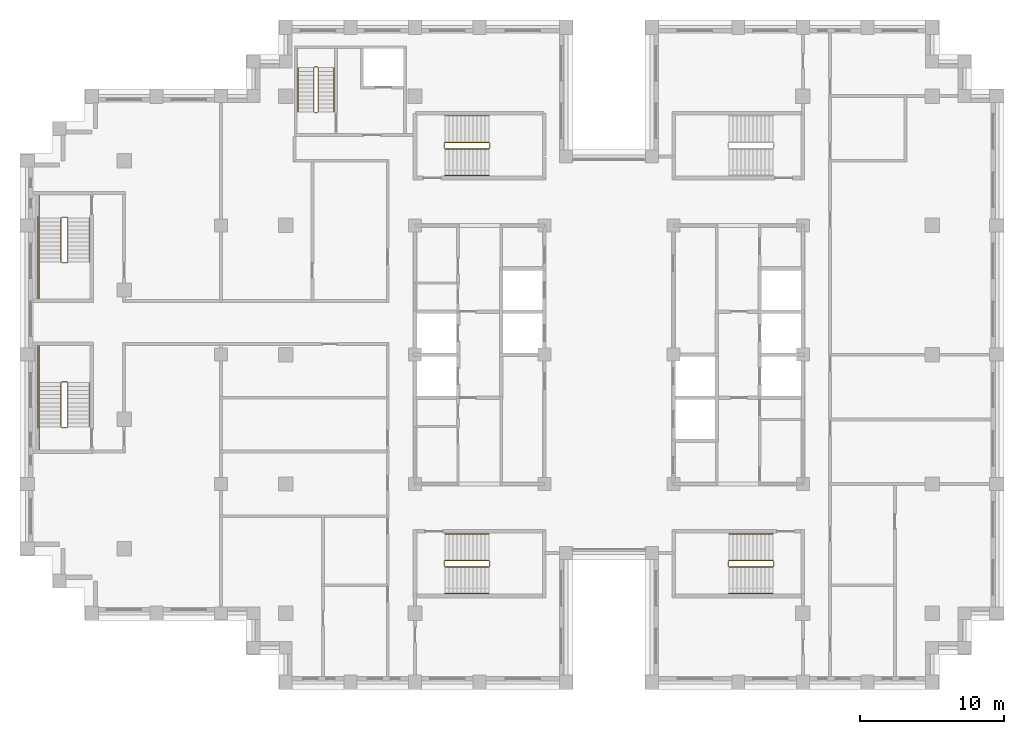
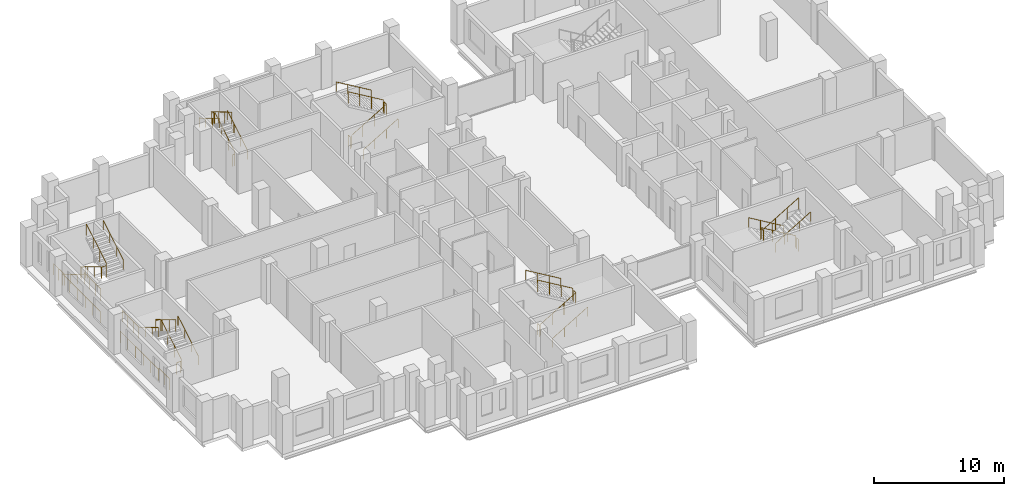
# One storey, part 14 of 15: 6 railings.
"""IFC4 building model written with IfcOpenShell, lengths in metres."""

from ifc_helpers import new_model, si_unit, direction, frame, origin, origin_2d, place, context, subcontext, project, spatial, circle, extrude, material, type_object, element, save


model = new_model("IFC4")

# Units and contexts
model_context = context("Model", 3, precision=1e-05, world=origin(), true_north=direction((0.0, 1.0)))
body_context = subcontext(model_context, "Body", "Model", "MODEL_VIEW")
ifc_project = project(units=[si_unit("LENGTHUNIT", "METRE"), si_unit("AREAUNIT", "SQUARE_METRE"), si_unit("VOLUMEUNIT", "CUBIC_METRE"), si_unit("PLANEANGLEUNIT", "RADIAN"), si_unit("MASSUNIT", "GRAM", prefix="KILO")], contexts=[model_context])

# Site, building, storey
site_placement = place(None, origin())
site = spatial("IfcSite", under=ifc_project, at=site_placement, CompositionType="ELEMENT")
building_placement = place(site_placement, origin())
building = spatial("IfcBuilding", under=site, at=building_placement, Name="Corbelhall Arena Tower", CompositionType="ELEMENT")
storey_placement = place(building_placement, frame((0.0, 0.0, 216.0)))
storey = spatial("IfcBuildingStorey", under=building, at=storey_placement, Name="L45", CompositionType="ELEMENT", Elevation=216.0)

# Railings
ifc_material = material(Name="Steel ASTM A500 Gr C", Category="steel")
railing_type = type_object("IfcRailingType", Name="IN-GD-1100", PredefinedType="GUARDRAIL", material=ifc_material)
railing_1_placement = place(storey_placement, frame((-11.425048828125, 14.324951171875, 0.166748046875)))
element("IfcRailing", 1, at=railing_1_placement, inside=storey, type_object=railing_type, Name="L45 ST1 stair guards and handrails", PredefinedType="GUARDRAIL", context=body_context, shape_type="SweptSolid", body=[
    extrude(circle(Radius=0.02392578125, at=origin_2d()), frame((0.0, 0.0, 1.076171875), z_axis=(0.859308565015, 0.0, 0.511457515432), x_axis=(0.0, 1.0, 0.0)), (0.0, 0.0, 1.0), 3.58447265625),
    extrude(circle(Radius=0.02392578125, at=origin_2d()), frame((3.130126953125, 0.050048828125, 2.9091796875), z_axis=(0.0, 1.0, 0.0), x_axis=(-1.0, 0.0, 0.0)), (0.0, 0.0, 1.0), 0.35009765625),
    extrude(circle(Radius=0.02392578125, at=origin_2d()), frame((3.080078125, 0.449951171875, 3.076171875), z_axis=(-0.859308565015, 0.0, 0.511457515432), x_axis=(0.0, -1.0, 0.0)), (0.0, 0.0, 1.0), 3.58447265625),
    extrude(circle(Radius=0.02392578125, at=origin_2d()), frame((-0.050048828125, 0.050048828125, 0.9091796875), z_axis=(0.0, 1.0, 0.0), x_axis=(-1.0, 0.0, 0.0)), (0.0, 0.0, 1.0), 0.35009765625),
    extrude(circle(Radius=0.02392578125, at=origin_2d()), frame((0.0, -1.849853515625, 0.8759765625), z_axis=(0.859308565015, 0.0, 0.511457515432), x_axis=(0.0, 1.0, 0.0)), (0.0, 0.0, 1.0), 3.58447265625),
    extrude(circle(Radius=0.02392578125, at=origin_2d()), frame((3.080078125, 2.300048828125, 2.8759765625), z_axis=(-0.859308565015, 0.0, 0.511457515432), x_axis=(0.0, -1.0, 0.0)), (0.0, 0.0, 1.0), 3.58447265625),
    extrude(circle(Radius=0.02099609375, at=origin_2d()), origin(), (0.0, 0.0, 1.0), 1.052001953125),
    extrude(circle(Radius=0.02099609375, at=origin_2d()), frame((1.026611328125, 0.0, 0.611083984375)), (0.0, 0.0, 1.0), 1.052001953125),
    extrude(circle(Radius=0.02099609375, at=origin_2d()), frame((2.053466796875, 0.0, 1.22216796875)), (0.0, 0.0, 1.0), 1.052001953125),
    extrude(circle(Radius=0.02099609375, at=origin_2d()), frame((3.080078125, 0.0, 1.833251953125)), (0.0, 0.0, 1.0), 1.052001953125),
    extrude(circle(Radius=0.02099609375, at=origin_2d()), frame((3.130126953125, 0.050048828125, 1.833251953125)), (0.0, 0.0, 1.0), 1.052001953125),
    extrude(circle(Radius=0.02099609375, at=origin_2d()), frame((3.130126953125, 0.400146484375, 1.833251953125)), (0.0, 0.0, 1.0), 1.052001953125),
    extrude(circle(Radius=0.02099609375, at=origin_2d()), frame((3.080078125, 0.449951171875, 2.0)), (0.0, 0.0, 1.0), 1.052001953125),
    extrude(circle(Radius=0.02099609375, at=origin_2d()), frame((2.053466796875, 0.449951171875, 2.611083984375)), (0.0, 0.0, 1.0), 1.052001953125),
    extrude(circle(Radius=0.02099609375, at=origin_2d()), frame((1.026611328125, 0.449951171875, 3.22216796875)), (0.0, 0.0, 1.0), 1.052001953125),
    extrude(circle(Radius=0.02099609375, at=origin_2d()), frame((0.0, 0.449951171875, 3.833251953125)), (0.0, 0.0, 1.0), 1.052001953125),
    extrude(circle(Radius=0.02099609375, at=origin_2d()), frame((-0.050048828125, 0.050048828125, -0.166748046875)), (0.0, 0.0, 1.0), 1.052001953125),
    extrude(circle(Radius=0.02099609375, at=origin_2d()), frame((-0.050048828125, 0.400146484375, -0.166748046875)), (0.0, 0.0, 1.0), 1.052001953125),
    extrude(circle(Radius=0.02099609375, at=origin_2d()), frame((0.0, -1.849853515625, 0.0)), (0.0, 0.0, 1.0), 0.851806640625),
    extrude(circle(Radius=0.02099609375, at=origin_2d()), frame((1.026611328125, -1.849853515625, 0.611083984375)), (0.0, 0.0, 1.0), 0.851806640625),
    extrude(circle(Radius=0.02099609375, at=origin_2d()), frame((2.053466796875, -1.849853515625, 1.22216796875)), (0.0, 0.0, 1.0), 0.851806640625),
    extrude(circle(Radius=0.02099609375, at=origin_2d()), frame((3.080078125, -1.849853515625, 1.833251953125)), (0.0, 0.0, 1.0), 0.851806640625),
    extrude(circle(Radius=0.02099609375, at=origin_2d()), frame((3.080078125, 2.300048828125, 2.0)), (0.0, 0.0, 1.0), 0.851806640625),
    extrude(circle(Radius=0.02099609375, at=origin_2d()), frame((2.053466796875, 2.300048828125, 2.611083984375)), (0.0, 0.0, 1.0), 0.851806640625),
    extrude(circle(Radius=0.02099609375, at=origin_2d()), frame((1.026611328125, 2.300048828125, 3.22216796875)), (0.0, 0.0, 1.0), 0.851806640625),
    extrude(circle(Radius=0.02099609375, at=origin_2d()), frame((0.0, 2.300048828125, 3.833251953125)), (0.0, 0.0, 1.0), 0.851806640625),
])
railing_2_placement = place(storey_placement, frame((-11.425048828125, -14.77490234375, 0.166748046875)))
element("IfcRailing", 2, at=railing_2_placement, inside=storey, type_object=railing_type, Name="L45 ST2 stair guards and handrails", PredefinedType="GUARDRAIL", context=body_context, shape_type="SweptSolid", body=[
    extrude(circle(Radius=0.02392578125, at=origin_2d()), frame((0.0, 0.0, 1.076171875), z_axis=(0.859308565015, 0.0, 0.511457515432), x_axis=(0.0, 1.0, 0.0)), (0.0, 0.0, 1.0), 3.58447265625),
    extrude(circle(Radius=0.02392578125, at=origin_2d()), frame((3.130126953125, 0.0498046875, 2.9091796875), z_axis=(0.0, 1.0, 0.0), x_axis=(-1.0, 0.0, 0.0)), (0.0, 0.0, 1.0), 0.35009765625),
    extrude(circle(Radius=0.02392578125, at=origin_2d()), frame((3.080078125, 0.449951171875, 3.076171875), z_axis=(-0.859308565015, 0.0, 0.511457515432), x_axis=(0.0, -1.0, 0.0)), (0.0, 0.0, 1.0), 3.58447265625),
    extrude(circle(Radius=0.02392578125, at=origin_2d()), frame((-0.050048828125, 0.0498046875, 0.9091796875), z_axis=(0.0, 1.0, 0.0), x_axis=(-1.0, 0.0, 0.0)), (0.0, 0.0, 1.0), 0.35009765625),
    extrude(circle(Radius=0.02392578125, at=origin_2d()), frame((0.0, -1.85009765625, 0.8759765625), z_axis=(0.859308565015, 0.0, 0.511457515432), x_axis=(0.0, 1.0, 0.0)), (0.0, 0.0, 1.0), 3.58447265625),
    extrude(circle(Radius=0.02392578125, at=origin_2d()), frame((3.080078125, 2.2998046875, 2.8759765625), z_axis=(-0.859308565015, 0.0, 0.511457515432), x_axis=(0.0, -1.0, 0.0)), (0.0, 0.0, 1.0), 3.58447265625),
    extrude(circle(Radius=0.02099609375, at=origin_2d()), origin(), (0.0, 0.0, 1.0), 1.052001953125),
    extrude(circle(Radius=0.02099609375, at=origin_2d()), frame((1.026611328125, 0.0, 0.611083984375)), (0.0, 0.0, 1.0), 1.052001953125),
    extrude(circle(Radius=0.02099609375, at=origin_2d()), frame((2.053466796875, 0.0, 1.22216796875)), (0.0, 0.0, 1.0), 1.052001953125),
    extrude(circle(Radius=0.02099609375, at=origin_2d()), frame((3.080078125, 0.0, 1.833251953125)), (0.0, 0.0, 1.0), 1.052001953125),
    extrude(circle(Radius=0.02099609375, at=origin_2d()), frame((3.130126953125, 0.0498046875, 1.833251953125)), (0.0, 0.0, 1.0), 1.052001953125),
    extrude(circle(Radius=0.02099609375, at=origin_2d()), frame((3.130126953125, 0.39990234375, 1.833251953125)), (0.0, 0.0, 1.0), 1.052001953125),
    extrude(circle(Radius=0.02099609375, at=origin_2d()), frame((3.080078125, 0.449951171875, 2.0)), (0.0, 0.0, 1.0), 1.052001953125),
    extrude(circle(Radius=0.02099609375, at=origin_2d()), frame((2.053466796875, 0.449951171875, 2.611083984375)), (0.0, 0.0, 1.0), 1.052001953125),
    extrude(circle(Radius=0.02099609375, at=origin_2d()), frame((1.026611328125, 0.449951171875, 3.22216796875)), (0.0, 0.0, 1.0), 1.052001953125),
    extrude(circle(Radius=0.02099609375, at=origin_2d()), frame((0.0, 0.449951171875, 3.833251953125)), (0.0, 0.0, 1.0), 1.052001953125),
    extrude(circle(Radius=0.02099609375, at=origin_2d()), frame((-0.050048828125, 0.0498046875, -0.166748046875)), (0.0, 0.0, 1.0), 1.052001953125),
    extrude(circle(Radius=0.02099609375, at=origin_2d()), frame((-0.050048828125, 0.39990234375, -0.166748046875)), (0.0, 0.0, 1.0), 1.052001953125),
    extrude(circle(Radius=0.02099609375, at=origin_2d()), frame((0.0, -1.85009765625, 0.0)), (0.0, 0.0, 1.0), 0.851806640625),
    extrude(circle(Radius=0.02099609375, at=origin_2d()), frame((1.026611328125, -1.85009765625, 0.611083984375)), (0.0, 0.0, 1.0), 0.851806640625),
    extrude(circle(Radius=0.02099609375, at=origin_2d()), frame((2.053466796875, -1.85009765625, 1.22216796875)), (0.0, 0.0, 1.0), 0.851806640625),
    extrude(circle(Radius=0.02099609375, at=origin_2d()), frame((3.080078125, -1.85009765625, 1.833251953125)), (0.0, 0.0, 1.0), 0.851806640625),
    extrude(circle(Radius=0.02099609375, at=origin_2d()), frame((3.080078125, 2.2998046875, 2.0)), (0.0, 0.0, 1.0), 0.851806640625),
    extrude(circle(Radius=0.02099609375, at=origin_2d()), frame((2.053466796875, 2.2998046875, 2.611083984375)), (0.0, 0.0, 1.0), 0.851806640625),
    extrude(circle(Radius=0.02099609375, at=origin_2d()), frame((1.026611328125, 2.2998046875, 3.22216796875)), (0.0, 0.0, 1.0), 0.851806640625),
    extrude(circle(Radius=0.02099609375, at=origin_2d()), frame((0.0, 2.2998046875, 3.833251953125)), (0.0, 0.0, 1.0), 0.851806640625),
])
railing_3_placement = place(storey_placement, frame((11.425048828125, -14.324951171875, 0.166748046875)))
element("IfcRailing", 3, at=railing_3_placement, inside=storey, type_object=railing_type, Name="L45 ST4 stair guards and handrails", PredefinedType="GUARDRAIL", context=body_context, shape_type="SweptSolid", body=[
    extrude(circle(Radius=0.02392578125, at=origin_2d()), frame((0.0, 0.0, 1.076171875), z_axis=(-0.859308565015, 0.0, 0.511457515432), x_axis=(0.0, -1.0, 0.0)), (0.0, 0.0, 1.0), 3.58447265625),
    extrude(circle(Radius=0.02392578125, at=origin_2d()), frame((-3.130126953125, -0.050048828125, 2.9091796875), z_axis=(0.0, -1.0, 0.0), x_axis=(1.0, 0.0, 0.0)), (0.0, 0.0, 1.0), 0.35009765625),
    extrude(circle(Radius=0.02392578125, at=origin_2d()), frame((-3.080078125, -0.449951171875, 3.076171875), z_axis=(0.859308565015, 0.0, 0.511457515432), x_axis=(0.0, 1.0, 0.0)), (0.0, 0.0, 1.0), 3.58447265625),
    extrude(circle(Radius=0.02392578125, at=origin_2d()), frame((0.050048828125, -0.050048828125, 0.9091796875), z_axis=(0.0, -1.0, 0.0), x_axis=(1.0, 0.0, 0.0)), (0.0, 0.0, 1.0), 0.35009765625),
    extrude(circle(Radius=0.02392578125, at=origin_2d()), frame((0.0, 1.849853515625, 0.8759765625), z_axis=(-0.859308565015, 0.0, 0.511457515432), x_axis=(0.0, -1.0, 0.0)), (0.0, 0.0, 1.0), 3.58447265625),
    extrude(circle(Radius=0.02392578125, at=origin_2d()), frame((-3.080078125, -2.300048828125, 2.8759765625), z_axis=(0.859308565015, 0.0, 0.511457515432), x_axis=(0.0, 1.0, 0.0)), (0.0, 0.0, 1.0), 3.58447265625),
    extrude(circle(Radius=0.02099609375, at=origin_2d()), origin(), (0.0, 0.0, 1.0), 1.052001953125),
    extrude(circle(Radius=0.02099609375, at=origin_2d()), frame((-1.026611328125, 0.0, 0.611083984375)), (0.0, 0.0, 1.0), 1.052001953125),
    extrude(circle(Radius=0.02099609375, at=origin_2d()), frame((-2.053466796875, 0.0, 1.22216796875)), (0.0, 0.0, 1.0), 1.052001953125),
    extrude(circle(Radius=0.02099609375, at=origin_2d()), frame((-3.080078125, 0.0, 1.833251953125)), (0.0, 0.0, 1.0), 1.052001953125),
    extrude(circle(Radius=0.02099609375, at=origin_2d()), frame((-3.130126953125, -0.050048828125, 1.833251953125)), (0.0, 0.0, 1.0), 1.052001953125),
    extrude(circle(Radius=0.02099609375, at=origin_2d()), frame((-3.130126953125, -0.400146484375, 1.833251953125)), (0.0, 0.0, 1.0), 1.052001953125),
    extrude(circle(Radius=0.02099609375, at=origin_2d()), frame((-3.080078125, -0.449951171875, 2.0)), (0.0, 0.0, 1.0), 1.052001953125),
    extrude(circle(Radius=0.02099609375, at=origin_2d()), frame((-2.053466796875, -0.449951171875, 2.611083984375)), (0.0, 0.0, 1.0), 1.052001953125),
    extrude(circle(Radius=0.02099609375, at=origin_2d()), frame((-1.026611328125, -0.449951171875, 3.22216796875)), (0.0, 0.0, 1.0), 1.052001953125),
    extrude(circle(Radius=0.02099609375, at=origin_2d()), frame((0.0, -0.449951171875, 3.833251953125)), (0.0, 0.0, 1.0), 1.052001953125),
    extrude(circle(Radius=0.02099609375, at=origin_2d()), frame((0.050048828125, -0.050048828125, -0.166748046875)), (0.0, 0.0, 1.0), 1.052001953125),
    extrude(circle(Radius=0.02099609375, at=origin_2d()), frame((0.050048828125, -0.400146484375, -0.166748046875)), (0.0, 0.0, 1.0), 1.052001953125),
    extrude(circle(Radius=0.02099609375, at=origin_2d()), frame((0.0, 1.849853515625, 0.0)), (0.0, 0.0, 1.0), 0.851806640625),
    extrude(circle(Radius=0.02099609375, at=origin_2d()), frame((-1.026611328125, 1.849853515625, 0.611083984375)), (0.0, 0.0, 1.0), 0.851806640625),
    extrude(circle(Radius=0.02099609375, at=origin_2d()), frame((-2.053466796875, 1.849853515625, 1.22216796875)), (0.0, 0.0, 1.0), 0.851806640625),
    extrude(circle(Radius=0.02099609375, at=origin_2d()), frame((-3.080078125, 1.849853515625, 1.833251953125)), (0.0, 0.0, 1.0), 0.851806640625),
    extrude(circle(Radius=0.02099609375, at=origin_2d()), frame((-3.080078125, -2.300048828125, 2.0)), (0.0, 0.0, 1.0), 0.851806640625),
    extrude(circle(Radius=0.02099609375, at=origin_2d()), frame((-2.053466796875, -2.300048828125, 2.611083984375)), (0.0, 0.0, 1.0), 0.851806640625),
    extrude(circle(Radius=0.02099609375, at=origin_2d()), frame((-1.026611328125, -2.300048828125, 3.22216796875)), (0.0, 0.0, 1.0), 0.851806640625),
    extrude(circle(Radius=0.02099609375, at=origin_2d()), frame((0.0, -2.300048828125, 3.833251953125)), (0.0, 0.0, 1.0), 0.851806640625),
])
railing_4_placement = place(storey_placement, frame((-38.14990234375, 9.52490234375, 0.166748046875)))
element("IfcRailing", 4, at=railing_4_placement, inside=storey, type_object=railing_type, Name="L45 SC1 stair guards and handrails", PredefinedType="GUARDRAIL", context=body_context, shape_type="SweptSolid", body=[
    extrude(circle(Radius=0.02392578125, at=origin_2d()), frame((0.0, 0.0, 1.076171875), z_axis=(0.0, -0.859290745958, 0.51148745235), x_axis=(1.0, 0.0, 0.0)), (0.0, 0.0, 1.0), 3.584228515625),
    extrude(circle(Radius=0.02392578125, at=origin_2d()), frame((0.0498046875, -3.1298828125, 2.9091796875), z_axis=(1.0, 0.0, 0.0), x_axis=(0.0, 1.0, 0.0)), (0.0, 0.0, 1.0), 0.375),
    extrude(circle(Radius=0.02392578125, at=origin_2d()), frame((-1.5, -3.079833984375, 2.9091796875), z_axis=(0.0, -1.0, 0.0), x_axis=(1.0, 0.0, 0.0)), (0.0, 0.0, 1.0), 2.570068359375),
    extrude(circle(Radius=0.02392578125, at=origin_2d()), frame((0.474853515625, -3.079833984375, 3.076171875), z_axis=(0.0, 0.859290745958, 0.51148745235), x_axis=(-1.0, 0.0, 0.0)), (0.0, 0.0, 1.0), 3.584228515625),
    extrude(circle(Radius=0.02392578125, at=origin_2d()), frame((0.0498046875, 0.050048828125, 0.9091796875), z_axis=(1.0, 0.0, 0.0), x_axis=(0.0, 1.0, 0.0)), (0.0, 0.0, 1.0), 0.375),
    extrude(circle(Radius=0.02392578125, at=origin_2d()), frame((-1.5, 1.60009765625, 0.9091796875), z_axis=(0.0, -1.0, 0.0), x_axis=(1.0, 0.0, 0.0)), (0.0, 0.0, 1.0), 1.60009765625),
    extrude(circle(Radius=0.02392578125, at=origin_2d()), frame((-1.60009765625, 0.10009765625, 0.9091796875), z_axis=(0.0, -1.0, 0.0), x_axis=(1.0, 0.0, 0.0)), (0.0, 0.0, 1.0), 5.85009765625),
    extrude(circle(Radius=0.02392578125, at=origin_2d()), frame((-1.5, 0.0, 0.8759765625), z_axis=(0.0, -0.859290745958, 0.51148745235), x_axis=(1.0, 0.0, 0.0)), (0.0, 0.0, 1.0), 3.584228515625),
    extrude(circle(Radius=0.02392578125, at=origin_2d()), frame((1.974853515625, -3.079833984375, 2.8759765625), z_axis=(0.0, 0.859290745958, 0.51148745235), x_axis=(-1.0, 0.0, 0.0)), (0.0, 0.0, 1.0), 3.584228515625),
    extrude(circle(Radius=0.02099609375, at=origin_2d()), origin(), (0.0, 0.0, 1.0), 1.052001953125),
    extrude(circle(Radius=0.02099609375, at=origin_2d()), frame((0.0, -1.026611328125, 0.611083984375)), (0.0, 0.0, 1.0), 1.052001953125),
    extrude(circle(Radius=0.02099609375, at=origin_2d()), frame((0.0, -2.05322265625, 1.22216796875)), (0.0, 0.0, 1.0), 1.052001953125),
    extrude(circle(Radius=0.02099609375, at=origin_2d()), frame((0.0, -3.079833984375, 1.833251953125)), (0.0, 0.0, 1.0), 1.052001953125),
    extrude(circle(Radius=0.02099609375, at=origin_2d()), frame((0.0498046875, -3.1298828125, 1.833251953125)), (0.0, 0.0, 1.0), 1.052001953125),
    extrude(circle(Radius=0.02099609375, at=origin_2d()), frame((0.4248046875, -3.1298828125, 1.833251953125)), (0.0, 0.0, 1.0), 1.052001953125),
    extrude(circle(Radius=0.02099609375, at=origin_2d()), frame((-1.5, -3.079833984375, 1.833251953125)), (0.0, 0.0, 1.0), 1.052001953125),
    extrude(circle(Radius=0.02099609375, at=origin_2d()), frame((-1.5, -3.9365234375, 1.833251953125)), (0.0, 0.0, 1.0), 1.052001953125),
    extrude(circle(Radius=0.02099609375, at=origin_2d()), frame((-1.5, -4.793212890625, 1.833251953125)), (0.0, 0.0, 1.0), 1.052001953125),
    extrude(circle(Radius=0.02099609375, at=origin_2d()), frame((-1.5, -5.64990234375, 1.833251953125)), (0.0, 0.0, 1.0), 1.052001953125),
    extrude(circle(Radius=0.02099609375, at=origin_2d()), frame((0.474853515625, -3.079833984375, 2.0)), (0.0, 0.0, 1.0), 1.052001953125),
    extrude(circle(Radius=0.02099609375, at=origin_2d()), frame((0.474853515625, -2.05322265625, 2.611083984375)), (0.0, 0.0, 1.0), 1.052001953125),
    extrude(circle(Radius=0.02099609375, at=origin_2d()), frame((0.474853515625, -1.026611328125, 3.22216796875)), (0.0, 0.0, 1.0), 1.052001953125),
    extrude(circle(Radius=0.02099609375, at=origin_2d()), frame((0.474853515625, 0.0, 3.833251953125)), (0.0, 0.0, 1.0), 1.052001953125),
    extrude(circle(Radius=0.02099609375, at=origin_2d()), frame((0.0498046875, 0.050048828125, -0.166748046875)), (0.0, 0.0, 1.0), 1.052001953125),
    extrude(circle(Radius=0.02099609375, at=origin_2d()), frame((0.4248046875, 0.050048828125, -0.166748046875)), (0.0, 0.0, 1.0), 1.052001953125),
    extrude(circle(Radius=0.02099609375, at=origin_2d()), frame((-1.5, 1.60009765625, -0.166748046875)), (0.0, 0.0, 1.0), 1.052001953125),
    extrude(circle(Radius=0.02099609375, at=origin_2d()), frame((-1.5, 0.800048828125, -0.166748046875)), (0.0, 0.0, 1.0), 1.052001953125),
    extrude(circle(Radius=0.02099609375, at=origin_2d()), frame((-1.5, 0.0, -0.166748046875)), (0.0, 0.0, 1.0), 1.052001953125),
    extrude(circle(Radius=0.02099609375, at=origin_2d()), frame((-1.60009765625, 0.10009765625, -0.166748046875)), (0.0, 0.0, 1.0), 1.052001953125),
    extrude(circle(Radius=0.02099609375, at=origin_2d()), frame((-1.60009765625, -1.06982421875, -0.166748046875)), (0.0, 0.0, 1.0), 1.052001953125),
    extrude(circle(Radius=0.02099609375, at=origin_2d()), frame((-1.60009765625, -2.239990234375, -0.166748046875)), (0.0, 0.0, 1.0), 1.052001953125),
    extrude(circle(Radius=0.02099609375, at=origin_2d()), frame((-1.60009765625, -3.409912109375, -0.166748046875)), (0.0, 0.0, 1.0), 1.052001953125),
    extrude(circle(Radius=0.02099609375, at=origin_2d()), frame((-1.60009765625, -4.580078125, -0.166748046875)), (0.0, 0.0, 1.0), 1.052001953125),
    extrude(circle(Radius=0.02099609375, at=origin_2d()), frame((-1.60009765625, -5.75, -0.166748046875)), (0.0, 0.0, 1.0), 1.052001953125),
    extrude(circle(Radius=0.02099609375, at=origin_2d()), frame((-1.5, 0.0, 0.0)), (0.0, 0.0, 1.0), 0.851806640625),
    extrude(circle(Radius=0.02099609375, at=origin_2d()), frame((-1.5, -1.026611328125, 0.611083984375)), (0.0, 0.0, 1.0), 0.851806640625),
    extrude(circle(Radius=0.02099609375, at=origin_2d()), frame((-1.5, -2.05322265625, 1.22216796875)), (0.0, 0.0, 1.0), 0.851806640625),
    extrude(circle(Radius=0.02099609375, at=origin_2d()), frame((1.974853515625, -3.079833984375, 2.0)), (0.0, 0.0, 1.0), 0.851806640625),
    extrude(circle(Radius=0.02099609375, at=origin_2d()), frame((1.974853515625, -2.05322265625, 2.611083984375)), (0.0, 0.0, 1.0), 0.851806640625),
    extrude(circle(Radius=0.02099609375, at=origin_2d()), frame((1.974853515625, -1.026611328125, 3.22216796875)), (0.0, 0.0, 1.0), 0.851806640625),
    extrude(circle(Radius=0.02099609375, at=origin_2d()), frame((1.974853515625, 0.0, 3.833251953125)), (0.0, 0.0, 1.0), 0.851806640625),
])
railing_5_placement = place(storey_placement, frame((-37.675048828125, -5.02490234375, 0.166748046875)))
element("IfcRailing", 5, at=railing_5_placement, inside=storey, type_object=railing_type, Name="L45 SC2 stair guards and handrails", PredefinedType="GUARDRAIL", context=body_context, shape_type="SweptSolid", body=[
    extrude(circle(Radius=0.02392578125, at=origin_2d()), frame((0.0, 0.0, 1.076171875), z_axis=(0.0, 0.859290745958, 0.51148745235), x_axis=(-1.0, 0.0, 0.0)), (0.0, 0.0, 1.0), 3.584228515625),
    extrude(circle(Radius=0.02392578125, at=origin_2d()), frame((-0.050048828125, 3.1298828125, 2.9091796875), z_axis=(-1.0, 0.0, 0.0), x_axis=(0.0, -1.0, 0.0)), (0.0, 0.0, 1.0), 0.375),
    extrude(circle(Radius=0.02392578125, at=origin_2d()), frame((-1.974853515625, 3.079833984375, 2.9091796875), z_axis=(0.0, 1.0, 0.0), x_axis=(-1.0, 0.0, 0.0)), (0.0, 0.0, 1.0), 2.570068359375),
    extrude(circle(Radius=0.02392578125, at=origin_2d()), frame((-0.474853515625, 3.079833984375, 3.076171875), z_axis=(0.0, -0.859290745958, 0.51148745235), x_axis=(1.0, 0.0, 0.0)), (0.0, 0.0, 1.0), 3.584228515625),
    extrude(circle(Radius=0.02392578125, at=origin_2d()), frame((-0.050048828125, -0.050048828125, 0.9091796875), z_axis=(-1.0, 0.0, 0.0), x_axis=(0.0, -1.0, 0.0)), (0.0, 0.0, 1.0), 0.375),
    extrude(circle(Radius=0.02392578125, at=origin_2d()), frame((-1.974853515625, -1.60009765625, 0.9091796875), z_axis=(0.0, 1.0, 0.0), x_axis=(-1.0, 0.0, 0.0)), (0.0, 0.0, 1.0), 1.60009765625),
    extrude(circle(Radius=0.02392578125, at=origin_2d()), frame((-2.074951171875, -0.10009765625, 0.9091796875), z_axis=(0.0, 1.0, 0.0), x_axis=(-1.0, 0.0, 0.0)), (0.0, 0.0, 1.0), 5.85009765625),
    extrude(circle(Radius=0.02392578125, at=origin_2d()), frame((1.5, 0.0, 0.8759765625), z_axis=(0.0, 0.859290745958, 0.51148745235), x_axis=(-1.0, 0.0, 0.0)), (0.0, 0.0, 1.0), 3.584228515625),
    extrude(circle(Radius=0.02392578125, at=origin_2d()), frame((-1.974853515625, 3.079833984375, 2.8759765625), z_axis=(0.0, -0.859290745958, 0.51148745235), x_axis=(1.0, 0.0, 0.0)), (0.0, 0.0, 1.0), 3.584228515625),
    extrude(circle(Radius=0.02099609375, at=origin_2d()), origin(), (0.0, 0.0, 1.0), 1.052001953125),
    extrude(circle(Radius=0.02099609375, at=origin_2d()), frame((0.0, 1.026611328125, 0.611083984375)), (0.0, 0.0, 1.0), 1.052001953125),
    extrude(circle(Radius=0.02099609375, at=origin_2d()), frame((0.0, 2.05322265625, 1.22216796875)), (0.0, 0.0, 1.0), 1.052001953125),
    extrude(circle(Radius=0.02099609375, at=origin_2d()), frame((0.0, 3.079833984375, 1.833251953125)), (0.0, 0.0, 1.0), 1.052001953125),
    extrude(circle(Radius=0.02099609375, at=origin_2d()), frame((-0.050048828125, 3.1298828125, 1.833251953125)), (0.0, 0.0, 1.0), 1.052001953125),
    extrude(circle(Radius=0.02099609375, at=origin_2d()), frame((-0.425048828125, 3.1298828125, 1.833251953125)), (0.0, 0.0, 1.0), 1.052001953125),
    extrude(circle(Radius=0.02099609375, at=origin_2d()), frame((-1.974853515625, 3.079833984375, 1.833251953125)), (0.0, 0.0, 1.0), 1.052001953125),
    extrude(circle(Radius=0.02099609375, at=origin_2d()), frame((-1.974853515625, 3.9365234375, 1.833251953125)), (0.0, 0.0, 1.0), 1.052001953125),
    extrude(circle(Radius=0.02099609375, at=origin_2d()), frame((-1.974853515625, 4.793212890625, 1.833251953125)), (0.0, 0.0, 1.0), 1.052001953125),
    extrude(circle(Radius=0.02099609375, at=origin_2d()), frame((-1.974853515625, 5.64990234375, 1.833251953125)), (0.0, 0.0, 1.0), 1.052001953125),
    extrude(circle(Radius=0.02099609375, at=origin_2d()), frame((-0.474853515625, 3.079833984375, 2.0)), (0.0, 0.0, 1.0), 1.052001953125),
    extrude(circle(Radius=0.02099609375, at=origin_2d()), frame((-0.474853515625, 2.05322265625, 2.611083984375)), (0.0, 0.0, 1.0), 1.052001953125),
    extrude(circle(Radius=0.02099609375, at=origin_2d()), frame((-0.474853515625, 1.026611328125, 3.22216796875)), (0.0, 0.0, 1.0), 1.052001953125),
    extrude(circle(Radius=0.02099609375, at=origin_2d()), frame((-0.474853515625, 0.0, 3.833251953125)), (0.0, 0.0, 1.0), 1.052001953125),
    extrude(circle(Radius=0.02099609375, at=origin_2d()), frame((-0.050048828125, -0.050048828125, -0.166748046875)), (0.0, 0.0, 1.0), 1.052001953125),
    extrude(circle(Radius=0.02099609375, at=origin_2d()), frame((-0.425048828125, -0.050048828125, -0.166748046875)), (0.0, 0.0, 1.0), 1.052001953125),
    extrude(circle(Radius=0.02099609375, at=origin_2d()), frame((-1.974853515625, -1.60009765625, -0.166748046875)), (0.0, 0.0, 1.0), 1.052001953125),
    extrude(circle(Radius=0.02099609375, at=origin_2d()), frame((-1.974853515625, -0.800048828125, -0.166748046875)), (0.0, 0.0, 1.0), 1.052001953125),
    extrude(circle(Radius=0.02099609375, at=origin_2d()), frame((-1.974853515625, 0.0, -0.166748046875)), (0.0, 0.0, 1.0), 1.052001953125),
    extrude(circle(Radius=0.02099609375, at=origin_2d()), frame((-2.074951171875, -0.10009765625, -0.166748046875)), (0.0, 0.0, 1.0), 1.052001953125),
    extrude(circle(Radius=0.02099609375, at=origin_2d()), frame((-2.074951171875, 1.06982421875, -0.166748046875)), (0.0, 0.0, 1.0), 1.052001953125),
    extrude(circle(Radius=0.02099609375, at=origin_2d()), frame((-2.074951171875, 2.239990234375, -0.166748046875)), (0.0, 0.0, 1.0), 1.052001953125),
    extrude(circle(Radius=0.02099609375, at=origin_2d()), frame((-2.074951171875, 3.409912109375, -0.166748046875)), (0.0, 0.0, 1.0), 1.052001953125),
    extrude(circle(Radius=0.02099609375, at=origin_2d()), frame((-2.074951171875, 4.580078125, -0.166748046875)), (0.0, 0.0, 1.0), 1.052001953125),
    extrude(circle(Radius=0.02099609375, at=origin_2d()), frame((-2.074951171875, 5.75, -0.166748046875)), (0.0, 0.0, 1.0), 1.052001953125),
    extrude(circle(Radius=0.02099609375, at=origin_2d()), frame((1.5, 0.0, 0.0)), (0.0, 0.0, 1.0), 0.851806640625),
    extrude(circle(Radius=0.02099609375, at=origin_2d()), frame((1.5, 1.026611328125, 0.611083984375)), (0.0, 0.0, 1.0), 0.851806640625),
    extrude(circle(Radius=0.02099609375, at=origin_2d()), frame((1.5, 2.05322265625, 1.22216796875)), (0.0, 0.0, 1.0), 0.851806640625),
    extrude(circle(Radius=0.02099609375, at=origin_2d()), frame((1.5, 3.079833984375, 1.833251953125)), (0.0, 0.0, 1.0), 0.851806640625),
    extrude(circle(Radius=0.02099609375, at=origin_2d()), frame((-1.974853515625, 3.079833984375, 2.0)), (0.0, 0.0, 1.0), 0.851806640625),
    extrude(circle(Radius=0.02099609375, at=origin_2d()), frame((-1.974853515625, 2.05322265625, 2.611083984375)), (0.0, 0.0, 1.0), 0.851806640625),
    extrude(circle(Radius=0.02099609375, at=origin_2d()), frame((-1.974853515625, 1.026611328125, 3.22216796875)), (0.0, 0.0, 1.0), 0.851806640625),
    extrude(circle(Radius=0.02099609375, at=origin_2d()), frame((-1.974853515625, 0.0, 3.833251953125)), (0.0, 0.0, 1.0), 0.851806640625),
])
railing_6_placement = place(storey_placement, frame((-20.2451171875, 16.89990234375, 0.166748046875)))
element("IfcRailing", 6, at=railing_6_placement, inside=storey, type_object=railing_type, Name="L45 ST5 stair guards and handrails", PredefinedType="GUARDRAIL", context=body_context, shape_type="SweptSolid", body=[
    extrude(circle(Radius=0.02392578125, at=origin_2d()), frame((0.0, 0.0, 1.076171875), z_axis=(0.0, 0.859308565015, 0.511457515432), x_axis=(-1.0, 0.0, 0.0)), (0.0, 0.0, 1.0), 3.58447265625),
    extrude(circle(Radius=0.02392578125, at=origin_2d()), frame((-0.0498046875, 3.130126953125, 2.9091796875), z_axis=(-1.0, 0.0, 0.0), x_axis=(0.0, -1.0, 0.0)), (0.0, 0.0, 1.0), 0.2001953125),
    extrude(circle(Radius=0.02392578125, at=origin_2d()), frame((-0.2998046875, 3.080078125, 3.076171875), z_axis=(0.0, -0.859308565015, 0.511457515432), x_axis=(1.0, 0.0, 0.0)), (0.0, 0.0, 1.0), 3.58447265625),
    extrude(circle(Radius=0.02392578125, at=origin_2d()), frame((-0.0498046875, -0.0498046875, 0.9091796875), z_axis=(-1.0, 0.0, 0.0), x_axis=(0.0, -1.0, 0.0)), (0.0, 0.0, 1.0), 0.2001953125),
    extrude(circle(Radius=0.02392578125, at=origin_2d()), frame((1.10009765625, 0.0, 0.8759765625), z_axis=(0.0, 0.859308565015, 0.511457515432), x_axis=(-1.0, 0.0, 0.0)), (0.0, 0.0, 1.0), 3.58447265625),
    extrude(circle(Radius=0.02392578125, at=origin_2d()), frame((-1.39990234375, 3.080078125, 2.8759765625), z_axis=(0.0, -0.859308565015, 0.511457515432), x_axis=(1.0, 0.0, 0.0)), (0.0, 0.0, 1.0), 3.58447265625),
    extrude(circle(Radius=0.02099609375, at=origin_2d()), origin(), (0.0, 0.0, 1.0), 1.052001953125),
    extrude(circle(Radius=0.02099609375, at=origin_2d()), frame((0.0, 1.026611328125, 0.611083984375)), (0.0, 0.0, 1.0), 1.052001953125),
    extrude(circle(Radius=0.02099609375, at=origin_2d()), frame((0.0, 2.053466796875, 1.22216796875)), (0.0, 0.0, 1.0), 1.052001953125),
    extrude(circle(Radius=0.02099609375, at=origin_2d()), frame((0.0, 3.080078125, 1.833251953125)), (0.0, 0.0, 1.0), 1.052001953125),
    extrude(circle(Radius=0.02099609375, at=origin_2d()), frame((-0.0498046875, 3.130126953125, 1.833251953125)), (0.0, 0.0, 1.0), 1.052001953125),
    extrude(circle(Radius=0.02099609375, at=origin_2d()), frame((-0.25, 3.130126953125, 1.833251953125)), (0.0, 0.0, 1.0), 1.052001953125),
    extrude(circle(Radius=0.02099609375, at=origin_2d()), frame((-0.2998046875, 3.080078125, 2.0)), (0.0, 0.0, 1.0), 1.052001953125),
    extrude(circle(Radius=0.02099609375, at=origin_2d()), frame((-0.2998046875, 2.053466796875, 2.611083984375)), (0.0, 0.0, 1.0), 1.052001953125),
    extrude(circle(Radius=0.02099609375, at=origin_2d()), frame((-0.2998046875, 1.026611328125, 3.22216796875)), (0.0, 0.0, 1.0), 1.052001953125),
    extrude(circle(Radius=0.02099609375, at=origin_2d()), frame((-0.2998046875, 0.0, 3.833251953125)), (0.0, 0.0, 1.0), 1.052001953125),
    extrude(circle(Radius=0.02099609375, at=origin_2d()), frame((-0.0498046875, -0.0498046875, -0.166748046875)), (0.0, 0.0, 1.0), 1.052001953125),
    extrude(circle(Radius=0.02099609375, at=origin_2d()), frame((-0.25, -0.0498046875, -0.166748046875)), (0.0, 0.0, 1.0), 1.052001953125),
    extrude(circle(Radius=0.02099609375, at=origin_2d()), frame((1.10009765625, 0.0, 0.0)), (0.0, 0.0, 1.0), 0.851806640625),
    extrude(circle(Radius=0.02099609375, at=origin_2d()), frame((1.10009765625, 1.026611328125, 0.611083984375)), (0.0, 0.0, 1.0), 0.851806640625),
    extrude(circle(Radius=0.02099609375, at=origin_2d()), frame((1.10009765625, 2.053466796875, 1.22216796875)), (0.0, 0.0, 1.0), 0.851806640625),
    extrude(circle(Radius=0.02099609375, at=origin_2d()), frame((1.10009765625, 3.080078125, 1.833251953125)), (0.0, 0.0, 1.0), 0.851806640625),
    extrude(circle(Radius=0.02099609375, at=origin_2d()), frame((-1.39990234375, 3.080078125, 2.0)), (0.0, 0.0, 1.0), 0.851806640625),
    extrude(circle(Radius=0.02099609375, at=origin_2d()), frame((-1.39990234375, 2.053466796875, 2.611083984375)), (0.0, 0.0, 1.0), 0.851806640625),
    extrude(circle(Radius=0.02099609375, at=origin_2d()), frame((-1.39990234375, 1.026611328125, 3.22216796875)), (0.0, 0.0, 1.0), 0.851806640625),
    extrude(circle(Radius=0.02099609375, at=origin_2d()), frame((-1.39990234375, 0.0, 3.833251953125)), (0.0, 0.0, 1.0), 0.851806640625),
])

save(model, "model.ifc")
